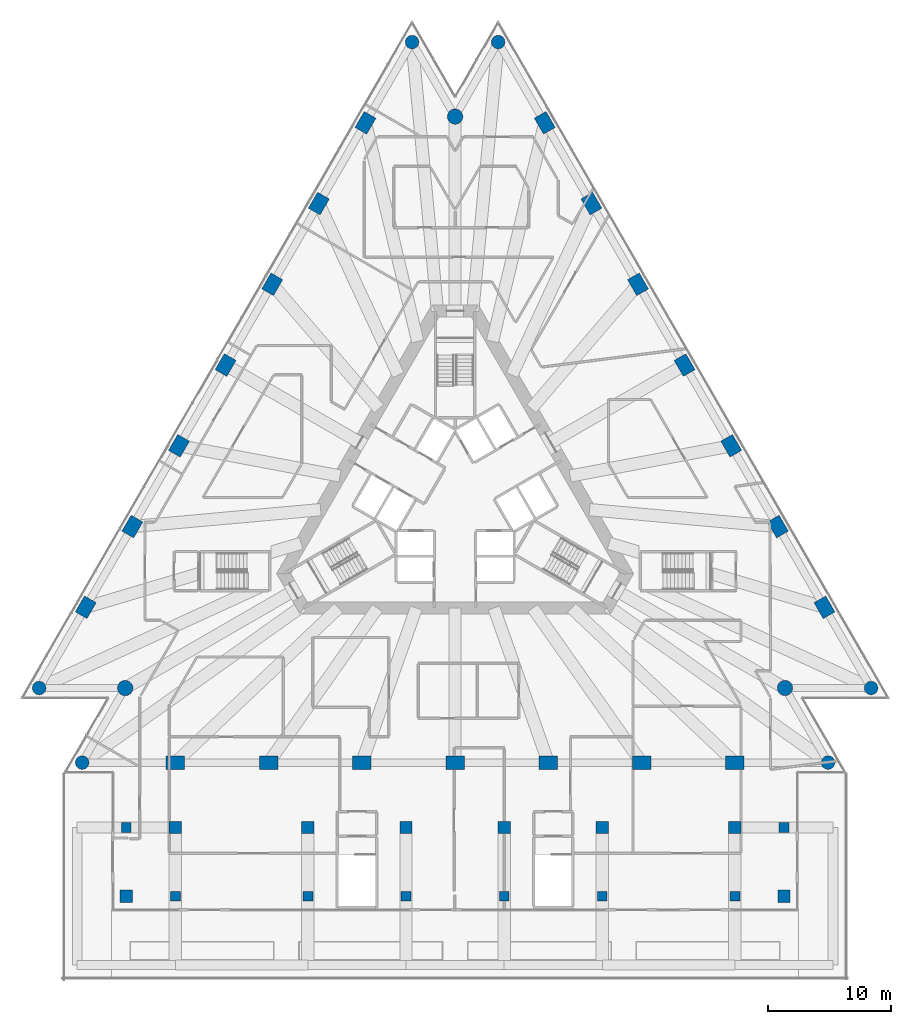
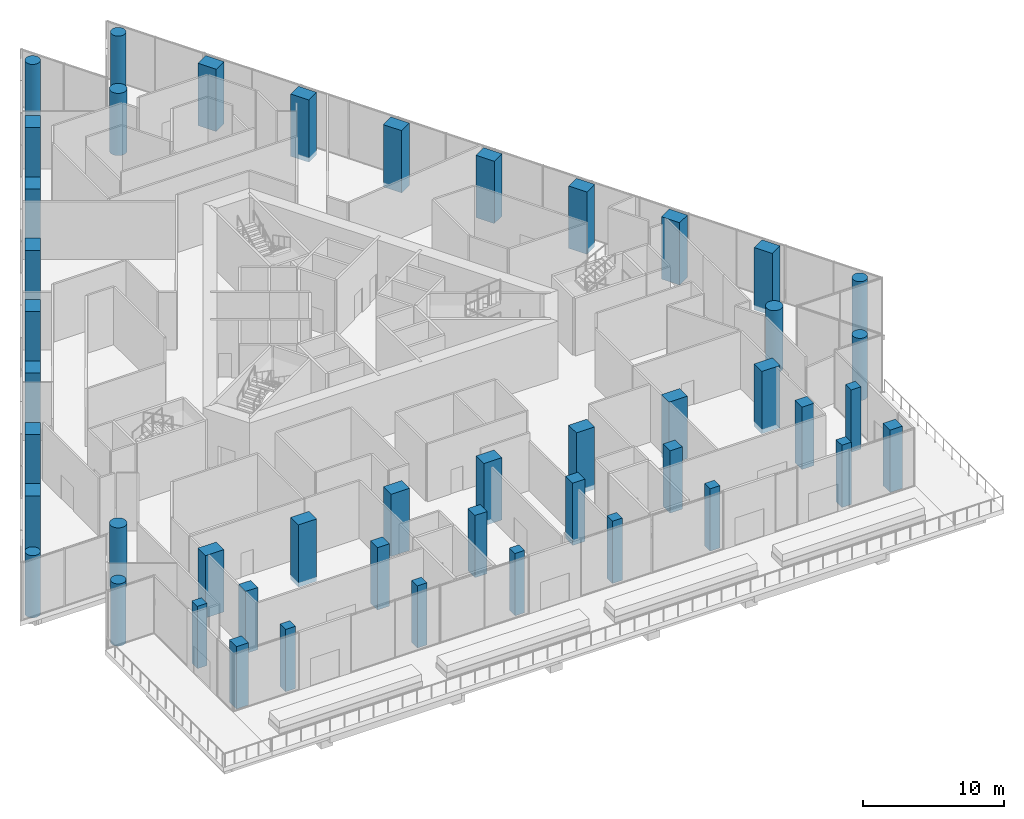
# One storey, part 1 of 29: 46 columns.
"""IFC4 building model written with IfcOpenShell, lengths in metres."""

from ifc_helpers import new_model, si_unit, direction, frame, origin, origin_2d, place, context, subcontext, project, spatial, rectangle, circle, extrude, material, material_profile, profile_set, type_object, element, save


model = new_model("IFC4")

# Units and contexts
model_context = context("Model", 3, precision=1e-05, world=origin(), true_north=direction((0.0, 1.0)))
body_context = subcontext(model_context, "Body", "Model", "MODEL_VIEW")
ifc_project = project(units=[si_unit("LENGTHUNIT", "METRE"), si_unit("AREAUNIT", "SQUARE_METRE"), si_unit("VOLUMEUNIT", "CUBIC_METRE"), si_unit("PLANEANGLEUNIT", "RADIAN"), si_unit("MASSUNIT", "GRAM", prefix="KILO")], contexts=[model_context])

# Site, building, storey
site_placement = place(None, origin())
site = spatial("IfcSite", under=ifc_project, at=site_placement, CompositionType="ELEMENT")
building_placement = place(site_placement, origin())
building = spatial("IfcBuilding", under=site, at=building_placement, Name="Triada Interchange Tower", CompositionType="ELEMENT")
storey_placement = place(building_placement, frame((0.0, 0.0, 19.89990234375)))
storey = spatial("IfcBuildingStorey", under=building, at=storey_placement, Name="L03", CompositionType="ELEMENT", Elevation=19.89990234375)

# Columns
ifc_material_1 = material(Name="Concrete C70/85", Category="concrete")
ifc_material_profile_1 = material_profile(ifc_material_1, rectangle(XDim=1.5, YDim=1.10009765625, at=origin_2d()), Name="RC 1500x1100")
ifc_profile_set_1 = profile_set([ifc_material_profile_1], Name="Concrete C70/85")
column_type_1 = type_object("IfcColumnType", Name="Column P face RC 1500x1100", PredefinedType="COLUMN", material=ifc_profile_set_1)
for number, where, z_axis, x_axis, name in (
    (1, (-7.306884765625, 30.5439453125, -0.39990234375), (0.0, 0.0, 1.0), (0.5, 0.866025403784, 0.0), "Column CP02 L03"),
    (2, (-11.10595703125, 23.9619140625, -0.39990234375), (0.0, 0.0, 1.0), (0.5, 0.866025403784, 0.0), "Column CP03 L03"),
    (3, (-14.906005859375, 17.381103515625, -0.39990234375), (0.0, 0.0, 1.0), (0.5, 0.866025403784, 0.0), "Column CP04 L03"),
    (4, (-18.7060546875, 10.800048828125, -0.39990234375), (0.0, 0.0, 1.0), (0.5, 0.866025403784, 0.0), "Column CP05 L03"),
    (5, (-22.506103515625, 4.218994140625, -0.39990234375), (0.0, 0.0, 1.0), (0.5, 0.866025403784, 0.0), "Column CP06 L03"),
    (6, (-26.305908203125, -2.362060546875, -0.39990234375), (0.0, 0.0, 1.0), (0.5, 0.866025403784, 0.0), "Column CP07 L03"),
    (7, (-30.10498046875, -8.944091796875, -0.39990234375), (0.0, 0.0, 1.0), (0.5, 0.866025403784, 0.0), "Column CP08 L03"),
    (8, (-22.798095703125, -21.60009765625, -0.39990234375), (0.0, 0.0, 1.0), (1.0, 0.0, 0.0), "Column CP11 L03"),
    (9, (-15.197998046875, -21.60009765625, -0.39990234375), (0.0, 0.0, 1.0), (1.0, 0.0, 0.0), "Column CP12 L03"),
    (10, (-7.59912109375, -21.60009765625, -0.39990234375), (0.0, 0.0, 1.0), (1.0, 0.0, 0.0), "Column CP13 L03"),
    (11, (0.0, -21.60009765625, -0.39990234375), (0.0, 0.0, 1.0), (1.0, 0.0, 0.0), "Column CP14 L03"),
    (12, (7.59912109375, -21.60009765625, -0.39990234375), (0.0, 0.0, 1.0), (1.0, 0.0, 0.0), "Column CP15 L03"),
    (13, (15.198974609375, -21.60009765625, -0.39990234375), (0.0, 0.0, 1.0), (1.0, 0.0, 0.0), "Column CP16 L03"),
    (14, (22.798095703125, -21.60009765625, -0.39990234375), (0.0, 0.0, 1.0), (1.0, 0.0, 0.0), "Column CP17 L03"),
    (15, (30.10498046875, -8.944091796875, -0.39990234375), (0.0, 0.0, 1.0), (-0.5, 0.866025403784, 0.0), "Column CP20 L03"),
    (16, (26.305908203125, -2.363037109375, -0.39990234375), (0.0, 0.0, 1.0), (-0.5, 0.866025403784, 0.0), "Column CP21 L03"),
    (17, (22.506103515625, 4.218994140625, -0.39990234375), (0.0, 0.0, 1.0), (-0.5, 0.866025403784, 0.0), "Column CP22 L03"),
    (18, (18.7060546875, 10.800048828125, -0.39990234375), (0.0, 0.0, 1.0), (-0.5, 0.866025403784, 0.0), "Column CP23 L03"),
    (19, (14.906005859375, 17.381103515625, -0.39990234375), (0.0, 0.0, 1.0), (-0.5, 0.866025403784, 0.0), "Column CP24 L03"),
    (20, (11.10595703125, 23.9619140625, -0.39990234375), (0.0, 0.0, 1.0), (-0.5, 0.866025403784, 0.0), "Column CP25 L03"),
    (21, (7.306884765625, 30.5439453125, -0.39990234375), (0.0, 0.0, 1.0), (-0.5, 0.866025403784, 0.0), "Column CP26 L03"),
):
    element("IfcColumn", number, at=place(storey_placement, frame(where, z_axis=z_axis, x_axis=x_axis)), inside=storey, type_object=column_type_1, Name=name, PredefinedType="COLUMN", context=body_context, shape_type="SweptSolid", body=[
        extrude(rectangle(XDim=1.5, YDim=1.10009765625, at=origin_2d()), origin(), (0.0, 0.0, 1.0), 5.39990234375),
    ])
ifc_material_2 = material(Name="Concrete C50/60", Category="concrete")
ifc_material_profile_2 = material_profile(ifc_material_2, rectangle(XDim=1.0, YDim=1.0, at=origin_2d()), Name="RC 1000x1000")
ifc_profile_set_2 = profile_set([ifc_material_profile_2], Name="Concrete C50/60")
column_type_2 = type_object("IfcColumnType", Name="Column X annex RC 1000x1000", PredefinedType="COLUMN", material=ifc_profile_set_2)
for number, where, z_axis, x_axis, name in (
    (22, (-26.800048828125, -32.5, -0.39990234375), (0.0, 0.0, 1.0), (1.0, 0.0, 0.0), "Column CX033 L03"),
    (23, (26.800048828125, -32.5, -0.39990234375), (0.0, 0.0, 1.0), (1.0, 0.0, 0.0), "Column CX040 L03"),
    (24, (-22.800048828125, -26.89990234375, -0.39990234375), (0.0, 0.0, 1.0), (1.0, 0.0, 0.0), "Column CX045 L03"),
    (25, (-12.0, -26.89990234375, -0.39990234375), (0.0, 0.0, 1.0), (1.0, 0.0, 0.0), "Column CX046 L03"),
    (26, (-4.0, -26.89990234375, -0.39990234375), (0.0, 0.0, 1.0), (1.0, 0.0, 0.0), "Column CX047 L03"),
    (27, (4.0, -26.89990234375, -0.39990234375), (0.0, 0.0, 1.0), (1.0, 0.0, 0.0), "Column CX048 L03"),
    (28, (12.0, -26.89990234375, -0.39990234375), (0.0, 0.0, 1.0), (1.0, 0.0, 0.0), "Column CX049 L03"),
    (29, (22.800048828125, -26.89990234375, -0.39990234375), (0.0, 0.0, 1.0), (1.0, 0.0, 0.0), "Column CX050 L03"),
):
    element("IfcColumn", number, at=place(storey_placement, frame(where, z_axis=z_axis, x_axis=x_axis)), inside=storey, type_object=column_type_2, Name=name, PredefinedType="COLUMN", context=body_context, shape_type="SweptSolid", body=[
        extrude(rectangle(XDim=1.0, YDim=1.0, at=origin_2d()), origin(), (0.0, 0.0, 1.0), 5.39990234375),
    ])
ifc_material_profile_3 = material_profile(ifc_material_1, circle(Radius=0.550048828125, at=origin_2d()), Name="RC D1100")
ifc_profile_set_3 = profile_set([ifc_material_profile_3], Name="Concrete C70/85")
column_type_3 = type_object("IfcColumnType", Name="End column P RC D1100", PredefinedType="COLUMN", material=ifc_profile_set_3)
for number, where, z_axis, x_axis, name in (
    (30, (-3.507080078125, 37.125, -0.39990234375), (0.0, 0.0, 1.0), (0.5, 0.866025403784, 0.0), "Column CP01 L03"),
    (31, (-33.905029296875, -15.52490234375, -0.39990234375), (0.0, 0.0, 1.0), (0.5, 0.866025403784, 0.0), "Column CP09 L03"),
    (32, (-30.39697265625, -21.60009765625, -0.39990234375), (0.0, 0.0, 1.0), (1.0, 0.0, 0.0), "Column CP10 L03"),
    (33, (30.39697265625, -21.60009765625, -0.39990234375), (0.0, 0.0, 1.0), (1.0, 0.0, 0.0), "Column CP18 L03"),
    (34, (33.905029296875, -15.52490234375, -0.39990234375), (0.0, 0.0, 1.0), (-0.5, 0.866025403784, 0.0), "Column CP19 L03"),
    (35, (3.507080078125, 37.125, -0.39990234375), (0.0, 0.0, 1.0), (-0.5, 0.866025403784, 0.0), "Column CP27 L03"),
):
    element("IfcColumn", number, at=place(storey_placement, frame(where, z_axis=z_axis, x_axis=x_axis)), inside=storey, type_object=column_type_3, Name=name, PredefinedType="COLUMN", context=body_context, shape_type="SweptSolid", body=[
        extrude(circle(Radius=0.550048828125, at=origin_2d()), origin(), (0.0, 0.0, 1.0), 5.39990234375),
    ])
ifc_material_profile_4 = material_profile(ifc_material_1, circle(Radius=0.625, at=origin_2d()), Name="RC D1250")
ifc_profile_set_4 = profile_set([ifc_material_profile_4], Name="Concrete C70/85")
column_type_4 = type_object("IfcColumnType", Name="Mega column P RC D1250", PredefinedType="COLUMN", material=ifc_profile_set_4)
for number, where, z_axis, x_axis, name in (
    (36, (0.0, 31.050048828125, -0.39990234375), (0.0, 0.0, 1.0), (1.0, 0.0, 0.0), "Column MP1 L03"),
    (37, (-26.889892578125, -15.52490234375, -0.39990234375), (0.0, 0.0, 1.0), (1.0, 0.0, 0.0), "Column MP2 L03"),
    (38, (26.889892578125, -15.52490234375, -0.39990234375), (0.0, 0.0, 1.0), (1.0, 0.0, 0.0), "Column MP3 L03"),
):
    element("IfcColumn", number, at=place(storey_placement, frame(where, z_axis=z_axis, x_axis=x_axis)), inside=storey, type_object=column_type_4, Name=name, PredefinedType="COLUMN", context=body_context, shape_type="SweptSolid", body=[
        extrude(circle(Radius=0.625, at=origin_2d()), origin(), (0.0, 0.0, 1.0), 5.39990234375),
    ])
ifc_material_profile_5 = material_profile(ifc_material_2, rectangle(XDim=0.800048828125, YDim=0.800048828125, at=origin_2d()), Name="RC 800x800")
ifc_profile_set_5 = profile_set([ifc_material_profile_5], Name="Concrete C50/60")
column_type_5 = type_object("IfcColumnType", Name="Stub column X annex RC 800x800", PredefinedType="COLUMN", material=ifc_profile_set_5)
for number, where, z_axis, x_axis, name in (
    (39, (-22.800048828125, -32.5, -0.39990234375), (0.0, 0.0, 1.0), (1.0, 0.0, 0.0), "Column CX034 L03"),
    (40, (-12.0, -32.5, -0.39990234375), (0.0, 0.0, 1.0), (1.0, 0.0, 0.0), "Column CX035 L03"),
    (41, (-4.0, -32.5, -0.39990234375), (0.0, 0.0, 1.0), (1.0, 0.0, 0.0), "Column CX036 L03"),
    (42, (4.0, -32.5, -0.39990234375), (0.0, 0.0, 1.0), (1.0, 0.0, 0.0), "Column CX037 L03"),
    (43, (12.0, -32.5, -0.39990234375), (0.0, 0.0, 1.0), (1.0, 0.0, 0.0), "Column CX038 L03"),
    (44, (22.800048828125, -32.5, -0.39990234375), (0.0, 0.0, 1.0), (1.0, 0.0, 0.0), "Column CX039 L03"),
    (45, (-26.800048828125, -26.89990234375, -0.39990234375), (0.0, 0.0, 1.0), (1.0, 0.0, 0.0), "Column CX044 L03"),
    (46, (26.800048828125, -26.89990234375, -0.39990234375), (0.0, 0.0, 1.0), (1.0, 0.0, 0.0), "Column CX051 L03"),
):
    element("IfcColumn", number, at=place(storey_placement, frame(where, z_axis=z_axis, x_axis=x_axis)), inside=storey, type_object=column_type_5, Name=name, PredefinedType="COLUMN", context=body_context, shape_type="SweptSolid", body=[
        extrude(rectangle(XDim=0.800048828125, YDim=0.800048828125, at=origin_2d()), origin(), (0.0, 0.0, 1.0), 5.39990234375),
    ])

save(model, "model.ifc")
